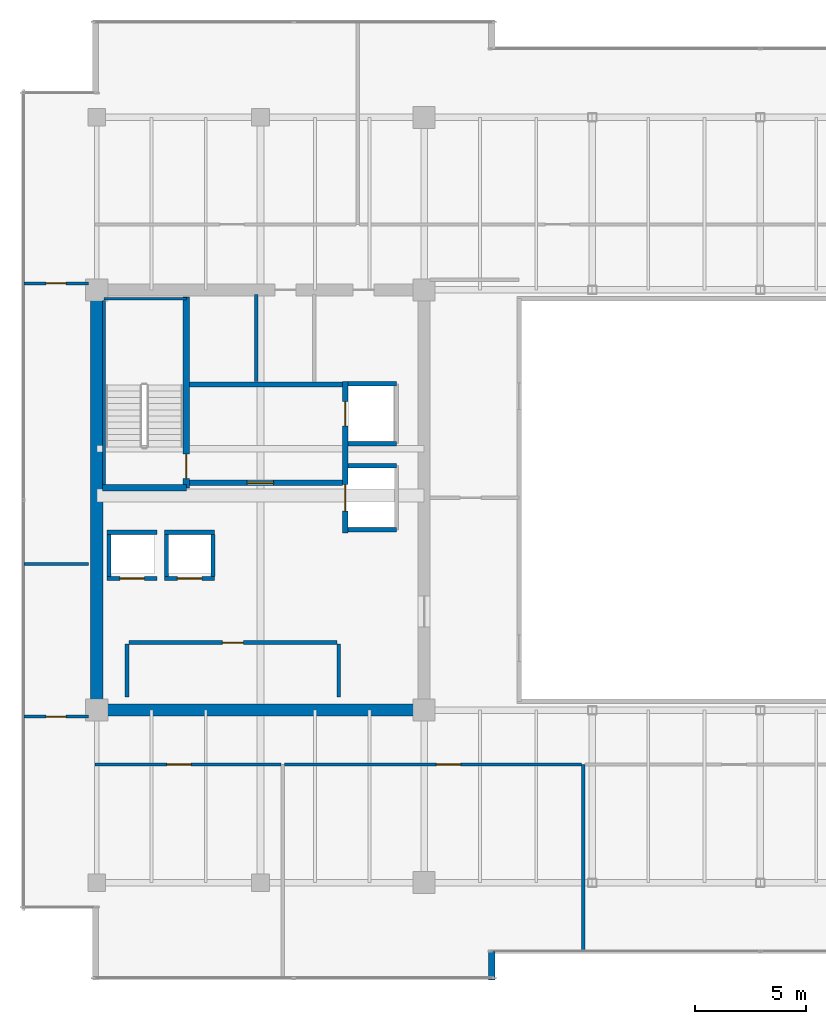
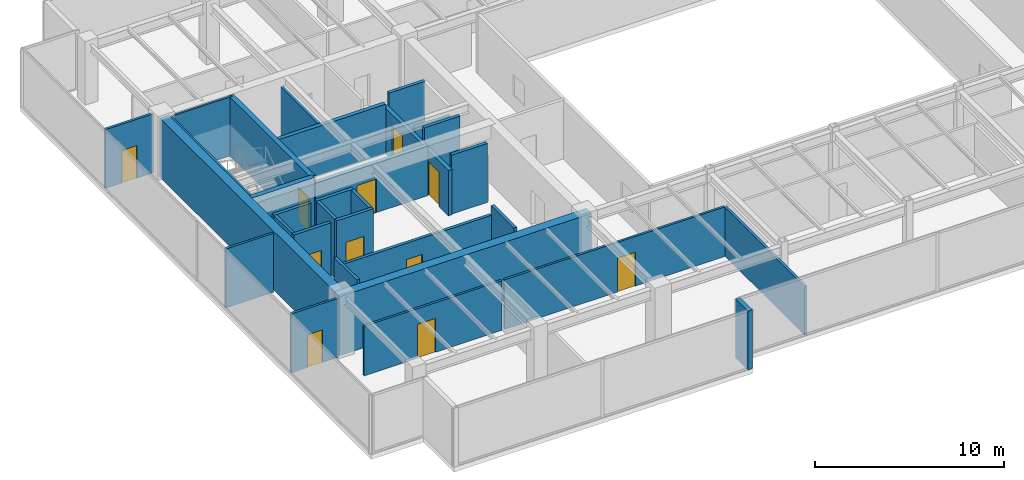
# One storey, part 28 of 33: 31 walls, 11 doors, 11 openings.
"""IFC4 building model written with IfcOpenShell, lengths in metres."""

from ifc_helpers import new_model, si_unit, direction, frame, frame_2d, origin, place, context, subcontext, project, spatial, rectangle, extrude, source, transform, mapped, material, layer, layer_set, type_object, type_shapes, element, fill, save


model = new_model("IFC4")

# Units and contexts
model_context = context("Model", 3, precision=1e-05, world=origin(), true_north=direction((0.0, 1.0)))
body_context = subcontext(model_context, "Body", "Model", "MODEL_VIEW")
ifc_project = project(units=[si_unit("LENGTHUNIT", "METRE"), si_unit("AREAUNIT", "SQUARE_METRE"), si_unit("VOLUMEUNIT", "CUBIC_METRE"), si_unit("PLANEANGLEUNIT", "RADIAN"), si_unit("MASSUNIT", "GRAM", prefix="KILO")], contexts=[model_context])

# Site, building, storey
site_placement = place(None, origin())
site = spatial("IfcSite", under=ifc_project, at=site_placement, CompositionType="ELEMENT")
building_placement = place(site_placement, origin())
building = spatial("IfcBuilding", under=site, at=building_placement, Name="Haelvirn Gate Laboratories", CompositionType="ELEMENT")
storey_placement = place(building_placement, frame((0.0, 0.0, 279.300048828125)))
storey = spatial("IfcBuildingStorey", under=building, at=storey_placement, Name="L67", CompositionType="ELEMENT", Elevation=279.300048828125)

# Walls
ifc_material_1 = material(Name="Thermally-broken bronze aluminium rainscreen & mineral wool", Category="aluminium")
ifc_layer_1 = layer(ifc_material_1, 0.280029296875, Name="EW-TERR-280")
ifc_layer_set_1 = layer_set([ifc_layer_1], Name="Thermally-broken bronze aluminium rainscreen & mineral wool")
wall_type_1 = type_object("IfcWallType", Name="EW-TERR-280", PredefinedType="STANDARD", material=ifc_layer_set_1)
wall_1_placement = place(storey_placement, frame((25.260009765625, 2.60009765625, 0.0), z_axis=(0.0, 0.0, 1.0), x_axis=(0.0, 1.0, 0.0)))
element("IfcWall", 1, at=wall_1_placement, inside=storey, type_object=wall_type_1, Name="L67 Atrium Recess Bronze Return Wall 01", PredefinedType="STANDARD", context=body_context, shape_type="SweptSolid", body=[
    extrude(rectangle(XDim=1.29296875, YDim=0.280029296875, at=frame_2d((0.646484375, 0.0))), origin(), (0.0, 0.0, 1.0), 3.800048828125),
])
ifc_material_2 = material(Name="Double-layer acoustic gypsum laboratory partition", Category="gypsum")
ifc_layer_2 = layer(ifc_material_2, 0.159912109375, Name="IW-ACOUST-160")
ifc_layer_set_2 = layer_set([ifc_layer_2], Name="Double-layer acoustic gypsum laboratory partition")
wall_type_2 = type_object("IfcWallType", Name="IW-ACOUST-160", PredefinedType="PARTITIONING", material=ifc_layer_set_2)
wall_2_placement = place(storey_placement, frame((29.39990234375, 3.909912109375, 0.0), z_axis=(0.0, 0.0, 1.0), x_axis=(0.0, 1.0, 0.0)))
element("IfcWall", 2, at=wall_2_placement, inside=storey, type_object=wall_type_2, Name="L67 Interior Wall IW-L67-SDIV-02", PredefinedType="PARTITIONING", context=body_context, shape_type="SweptSolid", body=[
    extrude(rectangle(XDim=8.43017578125, YDim=0.159912109375, at=frame_2d((4.215087890625, 0.0))), origin(), (0.0, 0.0, 1.0), 3.135009765625),
])

# Wall, opening, door
ifc_material_3 = material(Name="Acoustic mineral-wool gypsum board partition", Category="gypsum")
ifc_layer_3 = layer(ifc_material_3, 0.139892578125, Name="IW-PART-140")
ifc_layer_set_3 = layer_set([ifc_layer_3], Name="Acoustic mineral-wool gypsum board partition")
wall_type_3 = type_object("IfcWallType", Name="IW-PART-140", PredefinedType="PARTITIONING", material=ifc_layer_set_3)
wall_3_placement = place(storey_placement, frame((7.31005859375, 12.340087890625, 0.0), z_axis=(0.0, 0.0, 1.0), x_axis=(1.0, 0.0, 0.0)))
wall_3 = element("IfcWall", 3, at=wall_3_placement, inside=storey, type_object=wall_type_3, Name="L67 Interior Wall IW-L67-SCORR-01", PredefinedType="PARTITIONING", context=body_context, shape_type="SweptSolid", body=[
    extrude(rectangle(XDim=8.409912109375, YDim=0.139892578125, at=frame_2d((4.205078125, 0.0))), origin(), (0.0, 0.0, 1.0), 3.197021484375),
])
opening_1_placement = place(wall_3_placement, frame((3.25830078125, 0.0, 0.0)))
opening_1 = element("IfcOpeningElement", 4, at=opening_1_placement, cuts=wall_3, Name="Opening D1", PredefinedType="OPENING", context=body_context, shape_type="SweptSolid", body=[
    extrude(rectangle(XDim=1.10009765625, YDim=2.179931640625, at=frame_2d((0.550048828125, 1.08984375))), frame((0.0, 0.080078125, 0.0), z_axis=(0.0, -1.0, 0.0), x_axis=(1.0, 0.0, 0.0)), (0.0, 0.0, 1.0), 0.159912109375),
])
ifc_material_4 = material(Name="Vision-panel acoustic solid-core timber lab door", Category="wood")
door_type_1 = type_object("IfcDoorType", Name="DR-LAB-1100", OperationType="NOTDEFINED", PredefinedType="DOOR", material=ifc_material_4)
shared_shape_1 = source(origin(), body_context, "Body", "SweptSolid", [
    extrude(rectangle(XDim=1.10009765625, YDim=2.179931640625, at=frame_2d((0.550048828125, 1.08984375))), frame((0.0, 0.02490234375, 0.0), z_axis=(0.0, -1.0, 0.0), x_axis=(1.0, 0.0, 0.0)), (0.0, 0.0, 1.0), 0.050048828125),
])
type_shapes(door_type_1, [shared_shape_1])
door_1_placement = place(opening_1_placement, origin())
door_1 = element("IfcDoor", 5, at=door_1_placement, inside=storey, type_object=door_type_1, Name="L67 Peer-Review Seminar Room Door S1", OperationType="SINGLE_SWING_RIGHT", OverallHeight=2.179931640625, OverallWidth=1.10009765625, PredefinedType="DOOR", context=body_context, shape_type="MappedRepresentation", body=[
    mapped(shared_shape_1, transform((0.0, 0.0, 0.0), scale=1.0)),
])
fill(opening_1, door_1)

wall_4_placement = place(storey_placement, frame((15.8798828125, 12.340087890625, 0.0), z_axis=(0.0, 0.0, 1.0), x_axis=(1.0, 0.0, 0.0)))
wall_4 = element("IfcWall", 6, at=wall_4_placement, inside=storey, type_object=wall_type_3, Name="L67 Interior Wall IW-L67-SCORR-02", PredefinedType="PARTITIONING", context=body_context, shape_type="SweptSolid", body=[
    extrude(rectangle(XDim=13.440185546875, YDim=0.139892578125, at=frame_2d((6.72021484375, 0.0))), origin(), (0.0, 0.0, 1.0), 3.197021484375),
])
opening_2_placement = place(wall_4_placement, frame((6.868408203125, 0.0, 0.0)))
opening_2 = element("IfcOpeningElement", 7, at=opening_2_placement, cuts=wall_4, Name="Opening D1", PredefinedType="OPENING", context=body_context, shape_type="SweptSolid", body=[
    extrude(rectangle(XDim=1.10009765625, YDim=2.179931640625, at=frame_2d((0.550048828125, 1.08984375))), frame((0.0, 0.080078125, 0.0), z_axis=(0.0, -1.0, 0.0), x_axis=(1.0, 0.0, 0.0)), (0.0, 0.0, 1.0), 0.159912109375),
])
door_2_placement = place(opening_2_placement, origin())
door_2 = element("IfcDoor", 8, at=door_2_placement, inside=storey, type_object=door_type_1, Name="L67 Colloquium Conference Room Door S2", OperationType="SINGLE_SWING_LEFT", OverallHeight=2.179931640625, OverallWidth=1.10009765625, PredefinedType="DOOR", context=body_context, shape_type="MappedRepresentation", body=[
    mapped(shared_shape_1, transform((0.0, 0.0, 0.0), scale=1.0)),
])
fill(opening_2, door_2)

# Wall
wall_5_placement = place(storey_placement, frame((4.110107421875, 21.39990234375, 0.0), z_axis=(0.0, 0.0, 1.0), x_axis=(1.0, 0.0, 0.0)))
element("IfcWall", 9, at=wall_5_placement, inside=storey, type_object=wall_type_3, Name="L67 Interior Wall IW-L67-WZ3-MID", PredefinedType="PARTITIONING", context=body_context, shape_type="SweptSolid", body=[
    extrude(rectangle(XDim=2.909912109375, YDim=0.139892578125, at=frame_2d((1.455078125, 0.0))), origin(), (0.0, 0.0, 1.0), 3.800048828125),
])

# Wall, opening, door
wall_6_placement = place(storey_placement, frame((4.110107421875, 14.5048828125, 0.0), z_axis=(0.0, 0.0, 1.0), x_axis=(1.0, 0.0, 0.0)))
wall_6 = element("IfcWall", 10, at=wall_6_placement, inside=storey, type_object=wall_type_3, Name="L67 Interior Wall IW-L67-WZ3-ENT-S", PredefinedType="PARTITIONING", context=body_context, shape_type="SweptSolid", body=[
    extrude(rectangle(XDim=2.909912109375, YDim=0.139892578125, at=frame_2d((1.455078125, 0.0))), origin(), (0.0, 0.0, 1.0), 3.800048828125),
])
opening_3_placement = place(wall_6_placement, frame((1.0048828125, 0.0, 0.0)))
opening_3 = element("IfcOpeningElement", 11, at=opening_3_placement, cuts=wall_6, Name="Opening D4", PredefinedType="OPENING", context=body_context, shape_type="SweptSolid", body=[
    extrude(rectangle(XDim=0.89990234375, YDim=2.10009765625, at=frame_2d((0.449951171875, 1.050048828125))), frame((0.0, 0.080078125, 0.0), z_axis=(0.0, -1.0, 0.0), x_axis=(1.0, 0.0, 0.0)), (0.0, 0.0, 1.0), 0.159912109375),
])
ifc_material_5 = material(Name="Glazed aluminium-framed write-up door", Category="aluminium")
door_type_2 = type_object("IfcDoorType", Name="DR-OFF-900", OperationType="NOTDEFINED", PredefinedType="DOOR", material=ifc_material_5)
shared_shape_2 = source(origin(), body_context, "Body", "SweptSolid", [
    extrude(rectangle(XDim=0.89990234375, YDim=2.10009765625, at=frame_2d((0.449951171875, 1.050048828125))), frame((0.0, 0.02490234375, 0.0), z_axis=(0.0, -1.0, 0.0), x_axis=(1.0, 0.0, 0.0)), (0.0, 0.0, 1.0), 0.050048828125),
])
type_shapes(door_type_2, [shared_shape_2])
door_3_placement = place(opening_3_placement, origin())
door_3 = element("IfcDoor", 12, at=door_3_placement, inside=storey, type_object=door_type_2, Name="L67 Researcher Break Pantry Door W-S", OperationType="SINGLE_SWING_LEFT", OverallHeight=2.10009765625, OverallWidth=0.89990234375, PredefinedType="DOOR", context=body_context, shape_type="MappedRepresentation", body=[
    mapped(shared_shape_2, transform((0.0, 0.0, 0.0), scale=1.0)),
])
fill(opening_3, door_3)

wall_7_placement = place(storey_placement, frame((4.110107421875, 34.094970703125, 0.0), z_axis=(0.0, 0.0, 1.0), x_axis=(1.0, 0.0, 0.0)))
wall_7 = element("IfcWall", 13, at=wall_7_placement, inside=storey, type_object=wall_type_3, Name="L67 Interior Wall IW-L67-WZ3-ENT-N", PredefinedType="PARTITIONING", context=body_context, shape_type="SweptSolid", body=[
    extrude(rectangle(XDim=2.909912109375, YDim=0.139892578125, at=frame_2d((1.455078125, 0.0))), origin(), (0.0, 0.0, 1.0), 3.800048828125),
])
opening_4_placement = place(wall_7_placement, frame((1.0048828125, 0.0, 0.0)))
opening_4 = element("IfcOpeningElement", 14, at=opening_4_placement, cuts=wall_7, Name="Opening D4", PredefinedType="OPENING", context=body_context, shape_type="SweptSolid", body=[
    extrude(rectangle(XDim=0.89990234375, YDim=2.10009765625, at=frame_2d((0.449951171875, 1.050048828125))), frame((0.0, 0.080078125, 0.0), z_axis=(0.0, -1.0, 0.0), x_axis=(1.0, 0.0, 0.0)), (0.0, 0.0, 1.0), 0.159912109375),
])
door_4_placement = place(opening_4_placement, origin())
door_4 = element("IfcDoor", 15, at=door_4_placement, inside=storey, type_object=door_type_2, Name="L67 Researcher Break Pantry Door W-N", OperationType="SINGLE_SWING_RIGHT", OverallHeight=2.10009765625, OverallWidth=0.89990234375, PredefinedType="DOOR", context=body_context, shape_type="MappedRepresentation", body=[
    mapped(shared_shape_2, transform((0.0, 0.0, 0.0), scale=1.0)),
])
fill(opening_4, door_4)

# Walls
ifc_material_6 = material(Name="Cement-board restroom plumbing chase wall", Category="gypsum")
ifc_layer_4 = layer(ifc_material_6, 0.155029296875, Name="IW-PLUMB-160")
ifc_layer_set_4 = layer_set([ifc_layer_4], Name="Cement-board restroom plumbing chase wall")
wall_type_4 = type_object("IfcWallType", Name="IW-PLUMB-160", PredefinedType="PLUMBINGWALL", material=ifc_layer_set_4)
wall_8_placement = place(storey_placement, frame((14.610107421875, 29.64990234375, 0.0), z_axis=(0.0, 0.0, 1.0), x_axis=(0.0, 1.0, 0.0)))
element("IfcWall", 16, at=wall_8_placement, inside=storey, type_object=wall_type_4, Name="L67 Interior Wall IW-L67-W-CDIV-0", PredefinedType="PLUMBINGWALL", context=body_context, shape_type="SweptSolid", body=[
    extrude(rectangle(XDim=3.93017578125, YDim=0.155029296875, at=frame_2d((1.965087890625, 0.0))), origin(), (0.0, 0.0, 1.0), 3.197021484375),
])
ifc_material_7 = material(Name="Concrete C40/50", Category="concrete")
ifc_layer_5 = layer(ifc_material_7, 0.179931640625, Name="IW-SHAFT-180")
ifc_layer_set_5 = layer_set([ifc_layer_5], Name="Concrete C40/50")
wall_type_5 = type_object("IfcWallType", Name="IW-SHAFT-180", PredefinedType="SOLIDWALL", material=ifc_layer_set_5)
for number, where, z_axis, x_axis, name in (
    (17, (7.949951171875, 20.85009765625, 0.0), (0.0, 0.0, 1.0), (0.0, 1.0, 0.0), "L67 Interior Wall IW-L67-PL9-SD"),
    (18, (10.550048828125, 20.85009765625, 0.0), (0.0, 0.0, 1.0), (0.0, 1.0, 0.0), "L67 Interior Wall IW-L67-PL10-SD"),
    (19, (12.64990234375, 20.85009765625, 0.0), (0.0, 0.0, 1.0), (0.0, 1.0, 0.0), "L67 Interior Wall IW-L67-PL10-SDE"),
):
    element("IfcWall", number, at=place(storey_placement, frame(where, z_axis=z_axis, x_axis=x_axis)), inside=storey, type_object=wall_type_5, Name=name, PredefinedType="SOLIDWALL", context=body_context, shape_type="SweptSolid", body=[
        extrude(rectangle(XDim=1.89990234375, YDim=0.179931640625, at=frame_2d((0.949951171875, 0.0))), origin(), (0.0, 0.0, 1.0), 3.800048828125),
    ])

# Wall, opening, door
wall_9_placement = place(storey_placement, frame((8.85009765625, 17.85009765625, 0.0), z_axis=(0.0, 0.0, 1.0), x_axis=(1.0, 0.0, 0.0)))
wall_9 = element("IfcWall", 20, at=wall_9_placement, inside=storey, type_object=wall_type_5, Name="L67 Interior Wall IW-L67-W-FREED-HN-1", PredefinedType="SOLIDWALL", context=body_context, shape_type="SweptSolid", body=[
    extrude(rectangle(XDim=9.39990234375, YDim=0.179931640625, at=frame_2d((4.699951171875, 0.0))), origin(), (0.0, 0.0, 1.0), 3.197021484375),
])
opening_5_placement = place(wall_9_placement, frame((4.22509765625, 0.0, 0.0)))
opening_5 = element("IfcOpeningElement", 21, at=opening_5_placement, cuts=wall_9, Name="Opening FD4", PredefinedType="OPENING", context=body_context, shape_type="SweptSolid", body=[
    extrude(rectangle(XDim=0.949951171875, YDim=2.14990234375, at=frame_2d((0.47509765625, 1.074951171875))), frame((0.0, 0.10009765625, 0.0), z_axis=(0.0, -1.0, 0.0), x_axis=(1.0, 0.0, 0.0)), (0.0, 0.0, 1.0), 0.199951171875),
])
ifc_material_8 = material(Name="Fire-rated steel SM355 core service door", Category="steel")
door_type_3 = type_object("IfcDoorType", Name="DR-FD-950", OperationType="NOTDEFINED", PredefinedType="DOOR", material=ifc_material_8)
shared_shape_3 = source(origin(), body_context, "Body", "SweptSolid", [
    extrude(rectangle(XDim=0.949951171875, YDim=2.14990234375, at=frame_2d((0.47509765625, 1.074951171875))), frame((0.0, 0.02490234375, 0.0), z_axis=(0.0, -1.0, 0.0), x_axis=(1.0, 0.0, 0.0)), (0.0, 0.0, 1.0), 0.050048828125),
])
type_shapes(door_type_3, [shared_shape_3])
door_5_placement = place(opening_5_placement, origin())
door_5 = element("IfcDoor", 22, at=door_5_placement, inside=storey, type_object=door_type_3, Name="L67 Core Metrology & Calibration Laboratory Door", OperationType="SINGLE_SWING_LEFT", OverallHeight=2.14990234375, OverallWidth=0.949951171875, PredefinedType="DOOR", context=body_context, shape_type="MappedRepresentation", body=[
    mapped(shared_shape_3, transform((0.0, 0.0, 0.0), scale=1.0)),
])
fill(opening_5, door_5)

# Walls
for number, where, z_axis, x_axis, name in (
    (23, (18.340087890625, 15.39990234375, 0.0), (0.0, 0.0, 1.0), (0.0, 1.0, 0.0), "L67 Interior Wall IW-L67-W-FREED-HE-1"),
    (24, (8.760009765625, 15.39990234375, 0.0), (0.0, 0.0, 1.0), (0.0, 1.0, 0.0), "L67 Interior Wall IW-L67-W-FREED-HW-1"),
):
    element("IfcWall", number, at=place(storey_placement, frame(where, z_axis=z_axis, x_axis=x_axis)), inside=storey, type_object=wall_type_5, Name=name, PredefinedType="SOLIDWALL", context=body_context, shape_type="SweptSolid", body=[
        extrude(rectangle(XDim=2.400146484375, YDim=0.179931640625, at=frame_2d((1.2001953125, 0.0))), origin(), (0.0, 0.0, 1.0), 3.800048828125),
    ])

# Wall, opening, door
ifc_layer_6 = layer(ifc_material_7, 0.199951171875, Name="IW-SHAFT-200")
ifc_layer_set_6 = layer_set([ifc_layer_6], Name="Concrete C40/50")
wall_type_6 = type_object("IfcWallType", Name="IW-SHAFT-200", PredefinedType="SOLIDWALL", material=ifc_layer_set_6)
wall_10_placement = place(storey_placement, frame((7.8701171875, 20.75, 0.0), z_axis=(0.0, 0.0, 1.0), x_axis=(1.0, 0.0, 0.0)))
wall_10 = element("IfcWall", 25, at=wall_10_placement, inside=storey, type_object=wall_type_6, Name="L67 Interior Wall IW-L67-PL9-FR", PredefinedType="SOLIDWALL", context=body_context, shape_type="SweptSolid", body=[
    extrude(rectangle(XDim=2.259765625, YDim=0.199951171875, at=frame_2d((1.1298828125, 0.0))), origin(), (0.0, 0.0, 1.0), 3.800048828125),
])
opening_6_placement = place(wall_10_placement, frame((0.580078125, 0.0, 0.0)))
opening_6 = element("IfcOpeningElement", 26, at=opening_6_placement, cuts=wall_10, Name="Opening LD2", PredefinedType="OPENING", context=body_context, shape_type="SweptSolid", body=[
    extrude(rectangle(XDim=1.10009765625, YDim=2.219970703125, at=frame_2d((0.550048828125, 1.10986328125))), frame((0.0, 0.10986328125, 0.0), z_axis=(0.0, -1.0, 0.0), x_axis=(1.0, 0.0, 0.0)), (0.0, 0.0, 1.0), 0.219970703125),
])
ifc_material_9 = material(Name="Bronze stainless 316L sliding lift landing door")
door_type_4 = type_object("IfcDoorType", Name="DR-LD-1100", OperationType="NOTDEFINED", PredefinedType="USERDEFINED", material=ifc_material_9)
shared_shape_4 = source(origin(), body_context, "Body", "SweptSolid", [
    extrude(rectangle(XDim=1.10009765625, YDim=2.219970703125, at=frame_2d((0.550048828125, 1.10986328125))), frame((0.0, 0.02490234375, 0.0), z_axis=(0.0, -1.0, 0.0), x_axis=(1.0, 0.0, 0.0)), (0.0, 0.0, 1.0), 0.050048828125),
])
type_shapes(door_type_4, [shared_shape_4])
door_6_placement = place(opening_6_placement, origin())
door_6 = element("IfcDoor", 27, at=door_6_placement, inside=storey, type_object=door_type_4, Name="L67 Passenger Lift PL9 Landing Door", ObjectType="LANDING_DOOR", OperationType="SLIDING_TO_LEFT", OverallHeight=2.219970703125, OverallWidth=1.10009765625, PredefinedType="USERDEFINED", context=body_context, shape_type="MappedRepresentation", body=[
    mapped(shared_shape_4, transform((0.0, 0.0, 0.0), scale=1.0)),
])
fill(opening_6, door_6)

# Wall
wall_11_placement = place(storey_placement, frame((7.8701171875, 22.85009765625, 0.0), z_axis=(0.0, 0.0, 1.0), x_axis=(1.0, 0.0, 0.0)))
element("IfcWall", 28, at=wall_11_placement, inside=storey, type_object=wall_type_6, Name="L67 Interior Wall IW-L67-PL9-BK", PredefinedType="SOLIDWALL", context=body_context, shape_type="SweptSolid", body=[
    extrude(rectangle(XDim=2.259765625, YDim=0.199951171875, at=frame_2d((1.1298828125, 0.0))), origin(), (0.0, 0.0, 1.0), 3.800048828125),
])

# Wall, opening, door
wall_12_placement = place(storey_placement, frame((10.469970703125, 20.75, 0.0), z_axis=(0.0, 0.0, 1.0), x_axis=(1.0, 0.0, 0.0)))
wall_12 = element("IfcWall", 29, at=wall_12_placement, inside=storey, type_object=wall_type_6, Name="L67 Interior Wall IW-L67-PL10-FR", PredefinedType="SOLIDWALL", context=body_context, shape_type="SweptSolid", body=[
    extrude(rectangle(XDim=2.260009765625, YDim=0.199951171875, at=frame_2d((1.1298828125, 0.0))), origin(), (0.0, 0.0, 1.0), 3.800048828125),
])
opening_7_placement = place(wall_12_placement, frame((0.580078125, 0.0, 0.0)))
opening_7 = element("IfcOpeningElement", 30, at=opening_7_placement, cuts=wall_12, Name="Opening LD2", PredefinedType="OPENING", context=body_context, shape_type="SweptSolid", body=[
    extrude(rectangle(XDim=1.10009765625, YDim=2.219970703125, at=frame_2d((0.550048828125, 1.10986328125))), frame((0.0, 0.10986328125, 0.0), z_axis=(0.0, -1.0, 0.0), x_axis=(1.0, 0.0, 0.0)), (0.0, 0.0, 1.0), 0.219970703125),
])
door_7_placement = place(opening_7_placement, origin())
door_7 = element("IfcDoor", 31, at=door_7_placement, inside=storey, type_object=door_type_4, Name="L67 Passenger Lift PL10 Landing Door", ObjectType="LANDING_DOOR", OperationType="SLIDING_TO_RIGHT", OverallHeight=2.219970703125, OverallWidth=1.10009765625, PredefinedType="USERDEFINED", context=body_context, shape_type="MappedRepresentation", body=[
    mapped(shared_shape_4, transform((0.0, 0.0, 0.0), scale=1.0)),
])
fill(opening_7, door_7)

# Walls
wall_13_placement = place(storey_placement, frame((10.469970703125, 22.85009765625, 0.0), z_axis=(0.0, 0.0, 1.0), x_axis=(1.0, 0.0, 0.0)))
element("IfcWall", 32, at=wall_13_placement, inside=storey, type_object=wall_type_6, Name="L67 Interior Wall IW-L67-PL10-BK", PredefinedType="SOLIDWALL", context=body_context, shape_type="SweptSolid", body=[
    extrude(rectangle(XDim=2.260009765625, YDim=0.199951171875, at=frame_2d((1.1298828125, 0.0))), origin(), (0.0, 0.0, 1.0), 3.800048828125),
])
wall_14_placement = place(storey_placement, frame((18.760009765625, 29.550048828125, 0.0), z_axis=(0.0, 0.0, 1.0), x_axis=(1.0, 0.0, 0.0)))
element("IfcWall", 33, at=wall_14_placement, inside=storey, type_object=wall_type_6, Name="L67 Interior Wall IW-L67-FL1-N", PredefinedType="SOLIDWALL", context=body_context, shape_type="SweptSolid", body=[
    extrude(rectangle(XDim=2.18994140625, YDim=0.199951171875, at=frame_2d((1.094970703125, 0.0))), origin(), (0.0, 0.0, 1.0), 3.800048828125),
])
wall_15_placement = place(storey_placement, frame((18.760009765625, 26.85009765625, 0.0), z_axis=(0.0, 0.0, 1.0), x_axis=(1.0, 0.0, 0.0)))
element("IfcWall", 34, at=wall_15_placement, inside=storey, type_object=wall_type_6, Name="L67 Interior Wall IW-L67-FL1-S", PredefinedType="SOLIDWALL", context=body_context, shape_type="SweptSolid", body=[
    extrude(rectangle(XDim=2.18994140625, YDim=0.199951171875, at=frame_2d((1.094970703125, 0.0))), origin(), (0.0, 0.0, 1.0), 3.197021484375),
])
for number, where, z_axis, x_axis, name in (
    (35, (18.760009765625, 25.85009765625, 0.0), (0.0, 0.0, 1.0), (1.0, 0.0, 0.0), "L67 Interior Wall IW-L67-SL1-N"),
    (36, (18.760009765625, 22.949951171875, 0.0), (0.0, 0.0, 1.0), (1.0, 0.0, 0.0), "L67 Interior Wall IW-L67-SL1-S"),
):
    element("IfcWall", number, at=place(storey_placement, frame(where, z_axis=z_axis, x_axis=x_axis)), inside=storey, type_object=wall_type_6, Name=name, PredefinedType="SOLIDWALL", context=body_context, shape_type="SweptSolid", body=[
        extrude(rectangle(XDim=2.18994140625, YDim=0.199951171875, at=frame_2d((1.094970703125, 0.0))), origin(), (0.0, 0.0, 1.0), 3.800048828125),
    ])

# Wall, opening, door
ifc_layer_7 = layer(ifc_material_7, 0.239990234375, Name="IW-SHAFT-240")
ifc_layer_set_7 = layer_set([ifc_layer_7], Name="Concrete C40/50")
wall_type_7 = type_object("IfcWallType", Name="IW-SHAFT-240", PredefinedType="SOLIDWALL", material=ifc_layer_set_7)
wall_16_placement = place(storey_placement, frame((11.60009765625, 25.080078125, 0.0), z_axis=(0.0, 0.0, 1.0), x_axis=(1.0, 0.0, 0.0)))
wall_16 = element("IfcWall", 37, at=wall_16_placement, inside=storey, type_object=wall_type_7, Name="L67 Interior Wall IW-L67-W-FF-S", PredefinedType="SOLIDWALL", context=body_context, shape_type="SweptSolid", body=[
    extrude(rectangle(XDim=6.919921875, YDim=0.239990234375, at=frame_2d((3.4599609375, 0.0))), origin(), (0.0, 0.0, 1.0), 3.197021484375),
])
opening_8_placement = place(wall_16_placement, frame((2.60009765625, 0.0, 0.0)))
opening_8 = element("IfcOpeningElement", 38, at=opening_8_placement, cuts=wall_16, Name="Opening FD2", PredefinedType="OPENING", context=body_context, shape_type="SweptSolid", body=[
    extrude(rectangle(XDim=1.199951171875, YDim=2.159912109375, at=frame_2d((0.60009765625, 1.080078125))), frame((0.0, 0.1298828125, 0.0), z_axis=(0.0, -1.0, 0.0), x_axis=(1.0, 0.0, 0.0)), (0.0, 0.0, 1.0), 0.260009765625),
])
ifc_material_10 = material(Name="Fire-rated steel SM355 compartment door", Category="steel")
door_type_5 = type_object("IfcDoorType", Name="DR-FD-1200", OperationType="NOTDEFINED", PredefinedType="DOOR", material=ifc_material_10)
shared_shape_5 = source(origin(), body_context, "Body", "SweptSolid", [
    extrude(rectangle(XDim=1.199951171875, YDim=2.159912109375, at=frame_2d((0.60009765625, 1.080078125))), frame((0.0, 0.02490234375, 0.0), z_axis=(0.0, -1.0, 0.0), x_axis=(1.0, 0.0, 0.0)), (0.0, 0.0, 1.0), 0.050048828125),
])
type_shapes(door_type_5, [shared_shape_5])
door_8_placement = place(opening_8_placement, origin())
door_8 = element("IfcDoor", 39, at=door_8_placement, inside=storey, type_object=door_type_5, Name="L67 West Firefighting Lobby Door", OperationType="SINGLE_SWING_RIGHT", OverallHeight=2.159912109375, OverallWidth=1.199951171875, PredefinedType="DOOR", context=body_context, shape_type="MappedRepresentation", body=[
    mapped(shared_shape_5, transform((0.0, 0.0, 0.0), scale=1.0)),
])
fill(opening_8, door_8)

# Wall
wall_17_placement = place(storey_placement, frame((11.60009765625, 29.52001953125, 0.0), z_axis=(0.0, 0.0, 1.0), x_axis=(1.0, 0.0, 0.0)))
element("IfcWall", 40, at=wall_17_placement, inside=storey, type_object=wall_type_7, Name="L67 Interior Wall IW-L67-W-FF-N", PredefinedType="SOLIDWALL", context=body_context, shape_type="SweptSolid", body=[
    extrude(rectangle(XDim=6.919921875, YDim=0.239990234375, at=frame_2d((3.4599609375, 0.0))), origin(), (0.0, 0.0, 1.0), 3.197021484375),
])

# Wall, openings, doors
wall_18_placement = place(storey_placement, frame((18.639892578125, 22.800048828125, 0.0), z_axis=(0.0, 0.0, 1.0), x_axis=(0.0, 1.0, 0.0)))
wall_18 = element("IfcWall", 41, at=wall_18_placement, inside=storey, type_object=wall_type_7, Name="L67 Interior Wall IW-L67-W-FF-E", PredefinedType="SOLIDWALL", context=body_context, shape_type="SweptSolid", body=[
    extrude(rectangle(XDim=6.849853515625, YDim=0.239990234375, at=frame_2d((3.4248046875, 0.0))), origin(), (0.0, 0.0, 1.0), 2.93505859375),
])
opening_9_placement = place(wall_18_placement, frame((4.85009765625, 0.0, 0.0)))
opening_9 = element("IfcOpeningElement", 42, at=opening_9_placement, cuts=wall_18, Name="Opening LD2", PredefinedType="OPENING", context=body_context, shape_type="SweptSolid", body=[
    extrude(rectangle(XDim=1.10009765625, YDim=2.219970703125, at=frame_2d((0.550048828125, 1.10986328125))), frame((0.0, 0.1298828125, 0.0), z_axis=(0.0, -1.0, 0.0), x_axis=(1.0, 0.0, 0.0)), (0.0, 0.0, 1.0), 0.260009765625),
])
opening_10_placement = place(wall_18_placement, frame((1.0, 0.0, 0.0)))
opening_10 = element("IfcOpeningElement", 43, at=opening_10_placement, cuts=wall_18, Name="Opening LD1", PredefinedType="OPENING", context=body_context, shape_type="SweptSolid", body=[
    extrude(rectangle(XDim=1.199951171875, YDim=2.219970703125, at=frame_2d((0.60009765625, 1.10986328125))), frame((0.0, 0.1298828125, 0.0), z_axis=(0.0, -1.0, 0.0), x_axis=(1.0, 0.0, 0.0)), (0.0, 0.0, 1.0), 0.260009765625),
])
door_9_placement = place(opening_9_placement, origin())
door_9 = element("IfcDoor", 44, at=door_9_placement, inside=storey, type_object=door_type_4, Name="L67 Firefighting Lift FL1 Landing Door", ObjectType="LANDING_DOOR", OperationType="SLIDING_TO_LEFT", OverallHeight=2.219970703125, OverallWidth=1.10009765625, PredefinedType="USERDEFINED", context=body_context, shape_type="MappedRepresentation", body=[
    mapped(shared_shape_4, transform((0.0, 0.0, 0.0), scale=1.0)),
])
fill(opening_9, door_9)
ifc_material_11 = material(Name="Stainless steel 316L sliding goods landing door", Category="steel")
door_type_6 = type_object("IfcDoorType", Name="DR-LD-1200", OperationType="NOTDEFINED", PredefinedType="USERDEFINED", material=ifc_material_11)
shared_shape_6 = source(origin(), body_context, "Body", "SweptSolid", [
    extrude(rectangle(XDim=1.199951171875, YDim=2.219970703125, at=frame_2d((0.60009765625, 1.10986328125))), frame((0.0, 0.02490234375, 0.0), z_axis=(0.0, -1.0, 0.0), x_axis=(1.0, 0.0, 0.0)), (0.0, 0.0, 1.0), 0.050048828125),
])
type_shapes(door_type_6, [shared_shape_6])
door_10_placement = place(opening_10_placement, origin())
door_10 = element("IfcDoor", 45, at=door_10_placement, inside=storey, type_object=door_type_6, Name="L67 Service Lift SL1 Landing Door", ObjectType="LANDING_DOOR", OperationType="SLIDING_TO_RIGHT", OverallHeight=2.219970703125, OverallWidth=1.199951171875, PredefinedType="USERDEFINED", context=body_context, shape_type="MappedRepresentation", body=[
    mapped(shared_shape_6, transform((0.0, 0.0, 0.0), scale=1.0)),
])
fill(opening_10, door_10)

# Walls
ifc_material_12 = material(Name="Concrete C50/60", Category="concrete")
ifc_layer_8 = layer(ifc_material_12, 0.550048828125, Name="SW-CORE-550")
ifc_layer_set_8 = layer_set([ifc_layer_8], Name="Concrete C50/60")
wall_type_8 = type_object("IfcWallType", Name="SW-CORE-550", PredefinedType="SHEAR", material=ifc_layer_set_8)
wall_19_placement = place(storey_placement, frame((7.125, 14.800048828125, 0.0), z_axis=(0.0, 0.0, 1.0), x_axis=(1.0, 0.0, 0.0)))
element("IfcWall", 46, at=wall_19_placement, inside=storey, type_object=wall_type_8, Name="L67 W Core Shear Wall S", PredefinedType="SHEAR", context=body_context, shape_type="SweptSolid", body=[
    extrude(rectangle(XDim=15.35009765625, YDim=0.550048828125, at=frame_2d((7.675048828125, 0.0))), origin(), (0.0, 0.0, 1.0), 3.800048828125),
])
wall_20_placement = place(storey_placement, frame((7.39990234375, 15.074951171875, 0.0), z_axis=(0.0, 0.0, 1.0), x_axis=(0.0, 1.0, 0.0)))
element("IfcWall", 47, at=wall_20_placement, inside=storey, type_object=wall_type_8, Name="L67 W Core Shear Wall W", PredefinedType="SHEAR", context=body_context, shape_type="SweptSolid", body=[
    extrude(rectangle(XDim=18.449951171875, YDim=0.550048828125, at=frame_2d((9.22509765625, 0.0))), origin(), (0.0, 0.0, 1.0), 3.800048828125),
])
ifc_layer_9 = layer(ifc_material_12, 0.1201171875, Name="SW-LINER-120")
ifc_layer_set_9 = layer_set([ifc_layer_9], Name="Concrete C50/60")
wall_type_9 = type_object("IfcWallType", Name="SW-LINER-120", PredefinedType="SOLIDWALL", material=ifc_layer_set_9)
wall_21_placement = place(storey_placement, frame((7.72998046875, 33.39990234375, 0.0), z_axis=(0.0, 0.0, 1.0), x_axis=(1.0, 0.0, 0.0)))
element("IfcWall", 48, at=wall_21_placement, inside=storey, type_object=wall_type_9, Name="L67 W Core Stair Shaft Liner Wall N", PredefinedType="SOLIDWALL", context=body_context, shape_type="SweptSolid", body=[
    extrude(rectangle(XDim=3.719970703125, YDim=0.1201171875, at=frame_2d((1.85986328125, 0.0))), origin(), (0.0, 0.0, 1.0), 3.800048828125),
])
wall_22_placement = place(storey_placement, frame((7.72998046875, 25.0, 0.0), z_axis=(0.0, 0.0, 1.0), x_axis=(0.0, 1.0, 0.0)))
element("IfcWall", 49, at=wall_22_placement, inside=storey, type_object=wall_type_9, Name="L67 W Core Stair Shaft Liner Wall OUT", PredefinedType="SOLIDWALL", context=body_context, shape_type="SweptSolid", body=[
    extrude(rectangle(XDim=8.320068359375, YDim=0.1201171875, at=frame_2d((4.16015625, 0.0))), origin(), (0.0, 0.0, 1.0), 3.800048828125),
])

# Wall, opening, door
ifc_layer_10 = layer(ifc_material_12, 0.300048828125, Name="SW-STAIR-300")
ifc_layer_set_10 = layer_set([ifc_layer_10], Name="Concrete C50/60")
wall_type_10 = type_object("IfcWallType", Name="SW-STAIR-300", PredefinedType="SHEAR", material=ifc_layer_set_10)
wall_23_placement = place(storey_placement, frame((11.449951171875, 24.85009765625, 0.0), z_axis=(0.0, 0.0, 1.0), x_axis=(0.0, 1.0, 0.0)))
wall_23 = element("IfcWall", 50, at=wall_23_placement, inside=storey, type_object=wall_type_10, Name="L67 W Core Stair Shaft Structural Wall IN", PredefinedType="SHEAR", context=body_context, shape_type="SweptSolid", body=[
    extrude(rectangle(XDim=8.6298828125, YDim=0.300048828125, at=frame_2d((4.31494140625, 0.0))), origin(), (0.0, 0.0, 1.0), 3.800048828125),
])
opening_11_placement = place(wall_23_placement, frame((0.419921875, 0.0, 0.0)))
opening_11 = element("IfcOpeningElement", 51, at=opening_11_placement, cuts=wall_23, Name="Opening FD3", PredefinedType="OPENING", context=body_context, shape_type="SweptSolid", body=[
    extrude(rectangle(XDim=1.10009765625, YDim=2.14990234375, at=frame_2d((0.550048828125, 1.074951171875))), frame((0.0, 0.16015625, 0.0), z_axis=(0.0, -1.0, 0.0), x_axis=(1.0, 0.0, 0.0)), (0.0, 0.0, 1.0), 0.320068359375),
])
ifc_material_13 = material(Name="Fire-rated steel SM355 escape stair door", Category="steel")
door_type_7 = type_object("IfcDoorType", Name="DR-FD-1100", OperationType="NOTDEFINED", PredefinedType="DOOR", material=ifc_material_13)
shared_shape_7 = source(origin(), body_context, "Body", "SweptSolid", [
    extrude(rectangle(XDim=1.10009765625, YDim=2.14990234375, at=frame_2d((0.550048828125, 1.074951171875))), frame((0.0, 0.02490234375, 0.0), z_axis=(0.0, -1.0, 0.0), x_axis=(1.0, 0.0, 0.0)), (0.0, 0.0, 1.0), 0.050048828125),
])
type_shapes(door_type_7, [shared_shape_7])
door_11_placement = place(opening_11_placement, origin())
door_11 = element("IfcDoor", 52, at=door_11_placement, inside=storey, type_object=door_type_7, Name="L67 Escape Stair ST1 Fire Door", OperationType="SINGLE_SWING_LEFT", OverallHeight=2.14990234375, OverallWidth=1.10009765625, PredefinedType="DOOR", context=body_context, shape_type="MappedRepresentation", body=[
    mapped(shared_shape_7, transform((0.0, 0.0, 0.0), scale=1.0)),
])
fill(opening_11, door_11)

# Wall
wall_24_placement = place(storey_placement, frame((7.64990234375, 24.85009765625, 0.0), z_axis=(0.0, 0.0, 1.0), x_axis=(1.0, 0.0, 0.0)))
element("IfcWall", 53, at=wall_24_placement, inside=storey, type_object=wall_type_10, Name="L67 W Core Stair Shaft Structural Wall S", PredefinedType="SHEAR", context=body_context, shape_type="SweptSolid", body=[
    extrude(rectangle(XDim=3.800048828125, YDim=0.300048828125, at=frame_2d((1.89990234375, 0.0))), origin(), (0.0, 0.0, 1.0), 3.800048828125),
])

save(model, "model.ifc")
